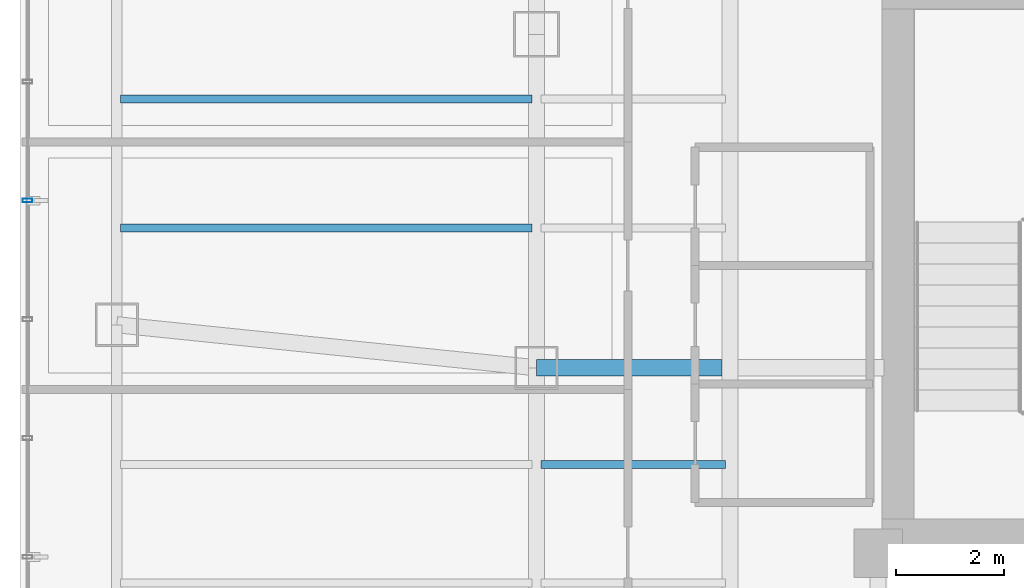
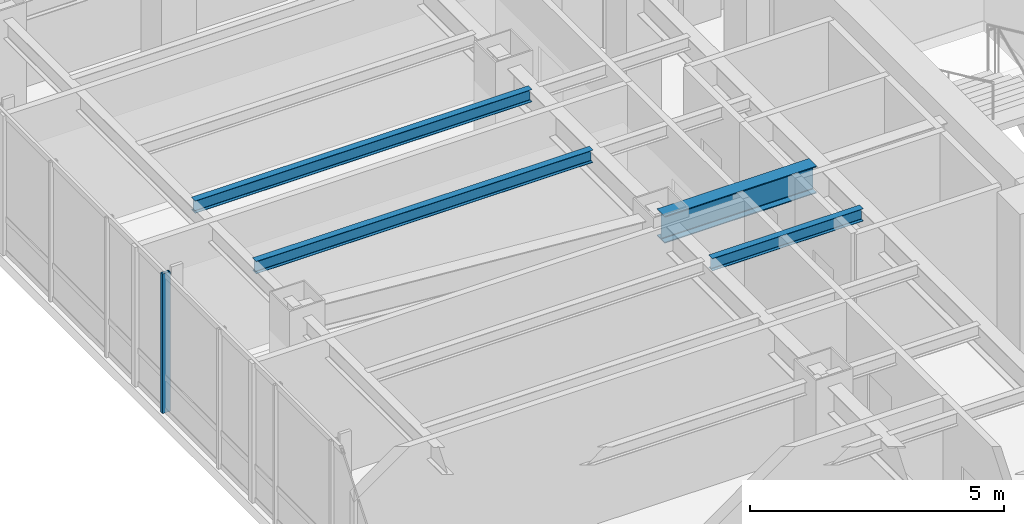
# One storey, part 8 of 29: 4 beams, 1 member, 1 element without a shape of its own.
"""IFC4 building model written with IfcOpenShell, lengths in metres."""

from ifc_helpers import new_model, si_unit, direction, frame, origin, origin_2d, place, context, subcontext, project, spatial, hollow_rectangle, i_section, extrude, material, layer, layer_set, material_profile, profile_set, type_object, element, aggregate, save


model = new_model("IFC4")

# Units and contexts
model_context = context("Model", 3, precision=1e-05, world=origin(), true_north=direction((0.0, 1.0)))
body_context = subcontext(model_context, "Body", "Model", "MODEL_VIEW")
ifc_project = project(units=[si_unit("LENGTHUNIT", "METRE"), si_unit("AREAUNIT", "SQUARE_METRE"), si_unit("VOLUMEUNIT", "CUBIC_METRE"), si_unit("PLANEANGLEUNIT", "RADIAN"), si_unit("MASSUNIT", "GRAM", prefix="KILO")], contexts=[model_context])

# Site, building, storey
site_placement = place(None, origin())
site = spatial("IfcSite", under=ifc_project, at=site_placement, CompositionType="ELEMENT")
building_placement = place(site_placement, origin())
building = spatial("IfcBuilding", under=site, at=building_placement, Name="Hatsunagi Terrace Concourse", CompositionType="ELEMENT")
storey_placement = place(building_placement, frame((0.0, 0.0, 149.25)))
storey = spatial("IfcBuildingStorey", under=building, at=storey_placement, Name="L39", CompositionType="ELEMENT", Elevation=149.25)

# Curtain wall, member
ifc_material_1 = material(Name="Anodised Aluminium Alloy 6063-T5", Category="aluminium")
ifc_layer = layer(ifc_material_1, 0.199951171875)
ifc_layer_set = layer_set([ifc_layer], Name="OfficeZone1_CW03")
curtain_wall_type = type_object("IfcCurtainWallType", Name="OfficeZone1_CW03", PredefinedType="NOTDEFINED", material=ifc_layer_set)
curtain_wall_placement = place(storey_placement, origin())
curtain_wall = element("IfcCurtainWall", 1, at=curtain_wall_placement, inside=storey, type_object=curtain_wall_type, Name="Unitised Curtain Wall CW-03 CW-L39-09", PredefinedType="NOTDEFINED")
ifc_material_2 = material(Name="Anodised Aluminium Alloy 6063-T5", Category="aluminium")
ifc_material_profile_1 = material_profile(ifc_material_2, hollow_rectangle(XDim=0.070068359375, YDim=0.179931640625, WallThickness=0.00390625, at=origin_2d()), Name="ALU-MUL-180x70x4")
ifc_profile_set_1 = profile_set([ifc_material_profile_1], Name="Anodised Aluminium Alloy 6063-T5")
member_type = type_object("IfcMemberType", Name="CurtainWallMullion_180x70", PredefinedType="MULLION", material=ifc_profile_set_1)
member_placement = place(storey_placement, frame((9.739990234375, 39.10791015625, 0.0), z_axis=(0.0, 0.0, 1.0), x_axis=(0.0, 1.0, 0.0)))
member = element("IfcMember", 2, at=member_placement, type_object=member_type, Name="Curtain Wall Mullion MUL-02", PredefinedType="MULLION", context=body_context, shape_type="SweptSolid", body=[
    extrude(hollow_rectangle(XDim=0.070068359375, YDim=0.179931640625, WallThickness=0.00390625, at=origin_2d()), origin(), (0.0, 0.0, 1.0), 3.35009765625),
])
aggregate(curtain_wall, [member])

# Beams
ifc_material_3 = material(Name="Steel SN490B", Category="steel")
ifc_material_profile_2 = material_profile(ifc_material_3, i_section(OverallWidth=0.14990234375, OverallDepth=0.300048828125, WebThickness=0.006591796875, FlangeThickness=0.009033203125, FilletRadius=0.010986328125, at=origin_2d()), Name="H-300x150x6.5x9")
ifc_profile_set_2 = profile_set([ifc_material_profile_2], Name="Steel SN490B")
beam_type_1 = type_object("IfcBeamType", Name="OfficeJoist_H_300x150", PredefinedType="JOIST", material=ifc_profile_set_2)
beam_1_placement = place(storey_placement, frame((19.284912109375, 34.199951171875, 3.199951171875), z_axis=(1.0, 0.0, 0.0), x_axis=(0.0, 1.0, 0.0)))
element("IfcBeam", 3, at=beam_1_placement, inside=storey, type_object=beam_type_1, Name="Beam J-03 J-L39-W-19-342", PredefinedType="JOIST", context=body_context, shape_type="SweptSolid", body=[
    extrude(i_section(OverallWidth=0.14990234375, OverallDepth=0.300048828125, WebThickness=0.006591796875, FlangeThickness=0.009033203125, FilletRadius=0.010986328125, at=origin_2d()), origin(), (0.0, 0.0, 1.0), 3.43017578125),
])
for number, where, z_axis, x_axis, name in (
    (4, (11.465087890625, 38.60009765625, 3.199951171875), (1.0, 0.0, 0.0), (0.0, 1.0, 0.0), "Beam J-03 J-L39-W-11-386"),
    (5, (11.465087890625, 41.0, 3.199951171875), (1.0, 0.0, 0.0), (0.0, 1.0, 0.0), "Beam J-03 J-L39-W-11-410"),
):
    element("IfcBeam", number, at=place(storey_placement, frame(where, z_axis=z_axis, x_axis=x_axis)), inside=storey, type_object=beam_type_1, Name=name, PredefinedType="JOIST", context=body_context, shape_type="SweptSolid", body=[
        extrude(i_section(OverallWidth=0.14990234375, OverallDepth=0.300048828125, WebThickness=0.006591796875, FlangeThickness=0.009033203125, FilletRadius=0.010986328125, at=origin_2d()), origin(), (0.0, 0.0, 1.0), 7.64990234375),
    ])
ifc_material_4 = material(Name="Steel SN490B", Category="steel")
ifc_material_profile_3 = material_profile(ifc_material_4, i_section(OverallWidth=0.300048828125, OverallDepth=0.64990234375, WebThickness=0.012939453125, FlangeThickness=0.02197265625, FilletRadius=0.01806640625, at=origin_2d()), Name="H-650x300x13x22")
ifc_profile_set_3 = profile_set([ifc_material_profile_3], Name="Steel SN490B")
beam_type_2 = type_object("IfcBeamType", Name="OfficeLowGirder_H_650x300", PredefinedType="BEAM", material=ifc_profile_set_3)
beam_2_placement = place(storey_placement, frame((19.199951171875, 36.0, 3.02490234375), z_axis=(1.0, 0.0, 0.0), x_axis=(0.0, 1.0, 0.0)))
element("IfcBeam", 6, at=beam_2_placement, inside=storey, type_object=beam_type_2, Name="Beam G-05 BM-L39-EW-3", PredefinedType="BEAM", context=body_context, shape_type="SweptSolid", body=[
    extrude(i_section(OverallWidth=0.300048828125, OverallDepth=0.64990234375, WebThickness=0.012939453125, FlangeThickness=0.02197265625, FilletRadius=0.01806640625, at=origin_2d()), origin(), (0.0, 0.0, 1.0), 3.449951171875),
])

save(model, "model.ifc")
